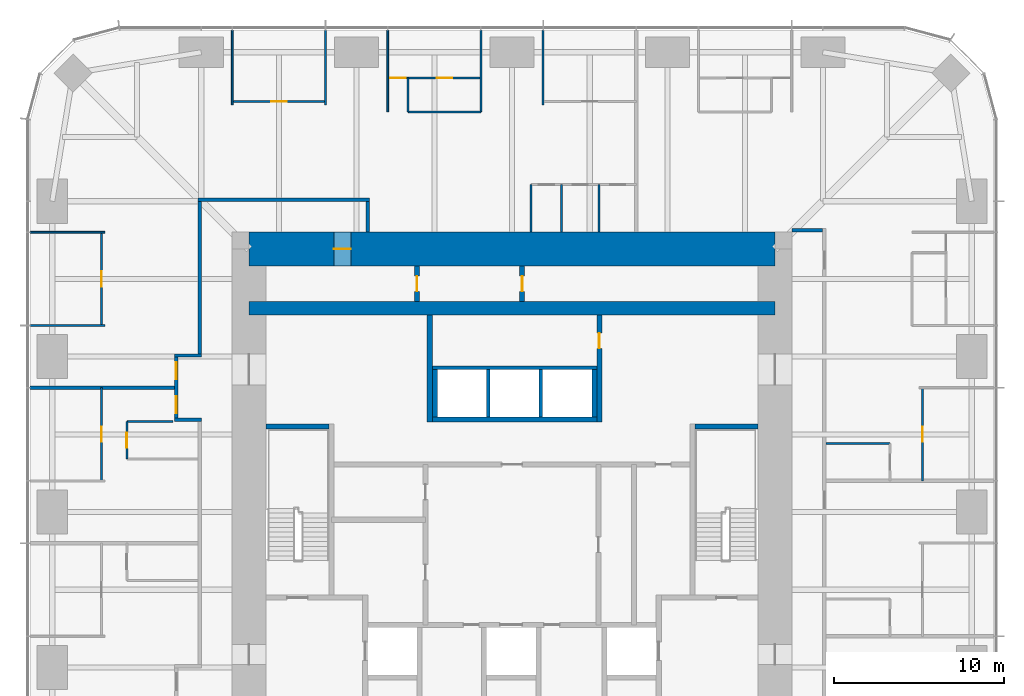
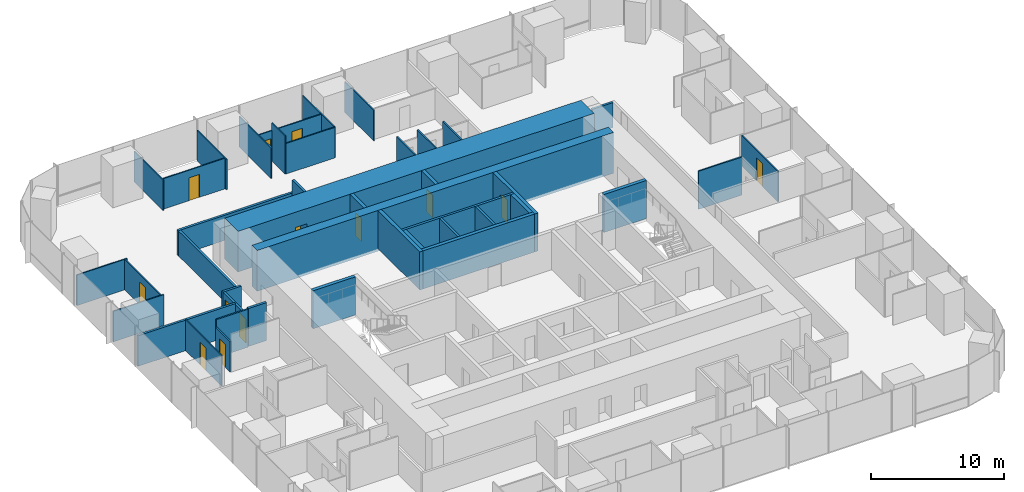
# One storey, part 11 of 13: 42 walls, 13 doors, 13 openings.
"""IFC4 building model written with IfcOpenShell, lengths in metres."""

from ifc_helpers import new_model, si_unit, direction, frame, frame_2d, origin, place, context, subcontext, project, spatial, rectangle, extrude, material, layer, layer_set, type_object, element, fill, save


model = new_model("IFC4")

# Units and contexts
model_context = context("Model", 3, precision=1e-05, world=origin(), true_north=direction((0.0, 1.0)))
body_context = subcontext(model_context, "Body", "Model", "MODEL_VIEW")
ifc_project = project(units=[si_unit("LENGTHUNIT", "METRE"), si_unit("AREAUNIT", "SQUARE_METRE"), si_unit("VOLUMEUNIT", "CUBIC_METRE"), si_unit("PLANEANGLEUNIT", "RADIAN"), si_unit("MASSUNIT", "GRAM", prefix="KILO")], contexts=[model_context])

# Site, building, storey
site_placement = place(None, origin())
site = spatial("IfcSite", under=ifc_project, at=site_placement, CompositionType="ELEMENT")
building_placement = place(site_placement, origin())
building = spatial("IfcBuilding", under=site, at=building_placement, Name="Khuree Lantern Residences", CompositionType="ELEMENT")
storey_placement = place(building_placement, frame((0.0, 0.0, 163.5)))
storey = spatial("IfcBuildingStorey", under=building, at=storey_placement, Name="L41", CompositionType="ELEMENT", Elevation=163.5)

# Walls
ifc_material_1 = material(Name="Moisture-resistant gypsum board on steel studs", Category="steel")
ifc_layer_1 = layer(ifc_material_1, 0.125)
ifc_layer_set_1 = layer_set([ifc_layer_1], Name="BATHROOM WALL BTW125")
wall_type_1 = type_object("IfcWallType", Name="BATHROOM WALL BTW125", PredefinedType="PARTITIONING", material=ifc_layer_set_1)
wall_1_placement = place(storey_placement, frame((18.5, 4.031982421875, 0.0), z_axis=(0.0, 0.0, 1.0), x_axis=(1.0, 0.0, 0.0)))
element("IfcWall", 1, at=wall_1_placement, inside=storey, type_object=wall_type_1, Name="L41 BATHROOM WALL 02", PredefinedType="PARTITIONING", context=body_context, shape_type="SweptSolid", body=[
    extrude(rectangle(XDim=3.77978515625, YDim=0.125, at=frame_2d((1.889892578125, 0.0))), origin(), (0.0, 0.0, 1.0), 3.5),
])
for number, where, z_axis, x_axis, name in (
    (2, (5.1279296875, 16.5, 0.0), (0.0, 0.0, 1.0), (0.0, 1.0, 0.0), "L41 BATHROOM WALL 03"),
    (3, (2.927978515625, 16.5, 0.0), (0.0, 0.0, 1.0), (0.0, 1.0, 0.0), "L41 BATHROOM WALL 03"),
    (4, (1.1279296875, 16.5, 0.0), (0.0, 0.0, 1.0), (0.0, 1.0, 0.0), "L41 BATHROOM WALL 03"),
):
    element("IfcWall", number, at=place(storey_placement, frame(where, z_axis=z_axis, x_axis=x_axis)), inside=storey, type_object=wall_type_1, Name=name, PredefinedType="PARTITIONING", context=body_context, shape_type="SweptSolid", body=[
        extrude(rectangle(XDim=2.800048828125, YDim=0.125, at=frame_2d((1.39990234375, 0.0))), origin(), (0.0, 0.0, 1.0), 3.5),
    ])

# Wall, opening, door
wall_2_placement = place(storey_placement, frame((-22.699951171875, 5.327880859375, 0.0), z_axis=(0.0, 0.0, 1.0), x_axis=(0.0, -1.0, 0.0)))
wall_2 = element("IfcWall", 5, at=wall_2_placement, inside=storey, type_object=wall_type_1, Name="L41 BATHROOM WALL 04", PredefinedType="PARTITIONING", context=body_context, shape_type="SweptSolid", body=[
    extrude(rectangle(XDim=2.199951171875, YDim=0.125, at=frame_2d((1.10009765625, 0.0))), origin(), (0.0, 0.0, 1.0), 2.81005859375),
])
opening_1_placement = place(wall_2_placement, frame((0.64990234375, 0.0, 0.0)))
opening_1 = element("IfcOpeningElement", 6, at=opening_1_placement, cuts=wall_2, Name="Opening 41-044", PredefinedType="OPENING", context=body_context, shape_type="SweptSolid", body=[
    extrude(rectangle(XDim=0.89990234375, YDim=2.10009765625, at=frame_2d((0.449951171875, 1.050048828125))), frame((0.0, 0.072509765625, 0.0), z_axis=(0.0, -1.0, 0.0), x_axis=(1.0, 0.0, 0.0)), (0.0, 0.0, 1.0), 0.14501953125),
])
ifc_material_2 = material(Name="Timber door leaf in hardwood frame", Category="wood")
door_type_1 = type_object("IfcDoorType", Name="BATHROOM DOOR 900X2100", OperationType="SINGLE_SWING_LEFT", PredefinedType="DOOR", material=ifc_material_2)
door_1_placement = place(opening_1_placement, origin())
door_1 = element("IfcDoor", 7, at=door_1_placement, inside=storey, type_object=door_type_1, Name="Bathroom door 41-044", OperationType="SINGLE_SWING_LEFT", OverallHeight=2.10009765625, OverallWidth=0.89990234375, PredefinedType="DOOR", context=body_context, shape_type="SweptSolid", body=[
    extrude(rectangle(XDim=0.89990234375, YDim=2.10009765625, at=frame_2d((0.449951171875, 1.050048828125))), frame((0.0, 0.02490234375, 0.0), z_axis=(0.0, -1.0, 0.0), x_axis=(1.0, 0.0, 0.0)), (0.0, 0.0, 1.0), 0.050048828125),
])
fill(opening_1, door_1)

# Walls
wall_3_placement = place(storey_placement, frame((-19.969970703125, 5.327880859375, 0.0), z_axis=(0.0, 0.0, 1.0), x_axis=(-1.0, 0.0, 0.0)))
element("IfcWall", 8, at=wall_3_placement, inside=storey, type_object=wall_type_1, Name="L41 BATHROOM WALL 04", PredefinedType="PARTITIONING", context=body_context, shape_type="SweptSolid", body=[
    extrude(rectangle(XDim=2.72998046875, YDim=0.125, at=frame_2d((1.364990234375, 0.0))), origin(), (0.0, 0.0, 1.0), 3.5),
])
ifc_material_3 = material(Name="Dense concrete blockwork", Category="masonry")
ifc_layer_2 = layer(ifc_material_3, 0.300048828125)
ifc_layer_set_2 = layer_set([ifc_layer_2], Name="CORE PARTITION WALL CPW300 EI 120")
wall_type_2 = type_object("IfcWallType", Name="CORE PARTITION WALL CPW300 EI 120", PredefinedType="PARTITIONING", material=ifc_layer_set_2)
wall_4_placement = place(storey_placement, frame((-4.699951171875, 5.449951171875, 0.0), z_axis=(0.0, 0.0, 1.0), x_axis=(1.0, 0.0, 0.0)))
element("IfcWall", 9, at=wall_4_placement, inside=storey, type_object=wall_type_2, Name="L41 CORE WALL PHS", PredefinedType="PARTITIONING", context=body_context, shape_type="SweptSolid", body=[
    extrude(rectangle(XDim=9.699951171875, YDim=0.300048828125, at=frame_2d((4.85009765625, 0.0))), origin(), (0.0, 0.0, 1.0), 3.5),
])
for number, where, z_axis, x_axis, name in (
    (10, (-4.550048828125, 5.60009765625, 0.0), (0.0, 0.0, 1.0), (0.0, 1.0, 0.0), "L41 CORE WALL PHW"),
    (11, (4.85009765625, 5.60009765625, 0.0), (0.0, 0.0, 1.0), (0.0, 1.0, 0.0), "L41 CORE WALL PHE"),
):
    element("IfcWall", number, at=place(storey_placement, frame(where, z_axis=z_axis, x_axis=x_axis)), inside=storey, type_object=wall_type_2, Name=name, PredefinedType="PARTITIONING", context=body_context, shape_type="SweptSolid", body=[
        extrude(rectangle(XDim=2.7998046875, YDim=0.300048828125, at=frame_2d((1.39990234375, 0.0))), origin(), (0.0, 0.0, 1.0), 3.5),
    ])
wall_5_placement = place(storey_placement, frame((-4.85009765625, 5.300048828125, 0.0), z_axis=(0.0, 0.0, 1.0), x_axis=(0.0, 1.0, 0.0)))
element("IfcWall", 12, at=wall_5_placement, inside=storey, type_object=wall_type_2, Name="L41 CORE WALL NW", PredefinedType="PARTITIONING", context=body_context, shape_type="SweptSolid", body=[
    extrude(rectangle(XDim=6.300048828125, YDim=0.300048828125, at=frame_2d((3.14990234375, 0.0))), origin(), (0.0, 0.0, 1.0), 3.5),
])

# Wall, opening, door
wall_6_placement = place(storey_placement, frame((5.14990234375, 5.300048828125, 0.0), z_axis=(0.0, 0.0, 1.0), x_axis=(0.0, 1.0, 0.0)))
wall_6 = element("IfcWall", 13, at=wall_6_placement, inside=storey, type_object=wall_type_2, Name="L41 CORE WALL NE", PredefinedType="PARTITIONING", context=body_context, shape_type="SweptSolid", body=[
    extrude(rectangle(XDim=6.300048828125, YDim=0.300048828125, at=frame_2d((3.14990234375, 0.0))), origin(), (0.0, 0.0, 1.0), 3.5),
])
opening_2_placement = place(wall_6_placement, frame((4.35009765625, 0.0, 0.0)))
opening_2 = element("IfcOpeningElement", 14, at=opening_2_placement, cuts=wall_6, Name="Opening 41-020", PredefinedType="OPENING", context=body_context, shape_type="SweptSolid", body=[
    extrude(rectangle(XDim=0.89990234375, YDim=2.10009765625, at=frame_2d((0.449951171875, 1.050048828125))), frame((0.0, 0.16015625, 0.0), z_axis=(0.0, -1.0, 0.0), x_axis=(1.0, 0.0, 0.0)), (0.0, 0.0, 1.0), 0.320068359375),
])
door_type_2 = type_object("IfcDoorType", Name="DOOR 900X2100", OperationType="SINGLE_SWING_LEFT", PredefinedType="DOOR", material=ifc_material_2)
door_2_placement = place(opening_2_placement, origin())
door_2 = element("IfcDoor", 15, at=door_2_placement, inside=storey, type_object=door_type_2, Name="Residents' store door 41-020", OperationType="SINGLE_SWING_LEFT", OverallHeight=2.10009765625, OverallWidth=0.89990234375, PredefinedType="DOOR", context=body_context, shape_type="SweptSolid", body=[
    extrude(rectangle(XDim=0.89990234375, YDim=2.10009765625, at=frame_2d((0.449951171875, 1.050048828125))), frame((0.0, 0.02490234375, 0.0), z_axis=(0.0, -1.0, 0.0), x_axis=(1.0, 0.0, 0.0)), (0.0, 0.0, 1.0), 0.050048828125),
])
fill(opening_2, door_2)

wall_7_placement = place(storey_placement, frame((-5.60009765625, 12.39990234375, 0.0), z_axis=(0.0, 0.0, 1.0), x_axis=(0.0, 1.0, 0.0)))
wall_7 = element("IfcWall", 16, at=wall_7_placement, inside=storey, type_object=wall_type_2, Name="L41 CORE WALL PLX", PredefinedType="PARTITIONING", context=body_context, shape_type="SweptSolid", body=[
    extrude(rectangle(XDim=2.10009765625, YDim=0.300048828125, at=frame_2d((1.050048828125, 0.0))), origin(), (0.0, 0.0, 1.0), 3.5),
])
opening_3_placement = place(wall_7_placement, frame((0.60009765625, 0.0, 0.0)))
opening_3 = element("IfcOpeningElement", 17, at=opening_3_placement, cuts=wall_7, Name="Opening 41-021", PredefinedType="OPENING", context=body_context, shape_type="SweptSolid", body=[
    extrude(rectangle(XDim=0.89990234375, YDim=2.10009765625, at=frame_2d((0.449951171875, 1.050048828125))), frame((0.0, 0.16015625, 0.0), z_axis=(0.0, -1.0, 0.0), x_axis=(1.0, 0.0, 0.0)), (0.0, 0.0, 1.0), 0.320068359375),
])
door_3_placement = place(opening_3_placement, origin())
door_3 = element("IfcDoor", 18, at=door_3_placement, inside=storey, type_object=door_type_2, Name="Cleaner's store door 41-021", OperationType="SINGLE_SWING_LEFT", OverallHeight=2.10009765625, OverallWidth=0.89990234375, PredefinedType="DOOR", context=body_context, shape_type="SweptSolid", body=[
    extrude(rectangle(XDim=0.89990234375, YDim=2.10009765625, at=frame_2d((0.449951171875, 1.050048828125))), frame((0.0, 0.02490234375, 0.0), z_axis=(0.0, -1.0, 0.0), x_axis=(1.0, 0.0, 0.0)), (0.0, 0.0, 1.0), 0.050048828125),
])
fill(opening_3, door_3)

wall_8_placement = place(storey_placement, frame((0.60009765625, 12.39990234375, 0.0), z_axis=(0.0, 0.0, 1.0), x_axis=(0.0, 1.0, 0.0)))
wall_8 = element("IfcWall", 19, at=wall_8_placement, inside=storey, type_object=wall_type_2, Name="L41 CORE WALL PLY", PredefinedType="PARTITIONING", context=body_context, shape_type="SweptSolid", body=[
    extrude(rectangle(XDim=2.10009765625, YDim=0.300048828125, at=frame_2d((1.050048828125, 0.0))), origin(), (0.0, 0.0, 1.0), 3.5),
])
opening_4_placement = place(wall_8_placement, frame((0.60009765625, 0.0, 0.0)))
opening_4 = element("IfcOpeningElement", 20, at=opening_4_placement, cuts=wall_8, Name="Opening 41-022", PredefinedType="OPENING", context=body_context, shape_type="SweptSolid", body=[
    extrude(rectangle(XDim=0.89990234375, YDim=2.10009765625, at=frame_2d((0.449951171875, 1.050048828125))), frame((0.0, 0.16015625, 0.0), z_axis=(0.0, -1.0, 0.0), x_axis=(1.0, 0.0, 0.0)), (0.0, 0.0, 1.0), 0.320068359375),
])
door_4_placement = place(opening_4_placement, origin())
door_4 = element("IfcDoor", 21, at=door_4_placement, inside=storey, type_object=door_type_2, Name="Spares store door 41-022", OperationType="SINGLE_SWING_LEFT", OverallHeight=2.10009765625, OverallWidth=0.89990234375, PredefinedType="DOOR", context=body_context, shape_type="SweptSolid", body=[
    extrude(rectangle(XDim=0.89990234375, YDim=2.10009765625, at=frame_2d((0.449951171875, 1.050048828125))), frame((0.0, 0.02490234375, 0.0), z_axis=(0.0, -1.0, 0.0), x_axis=(1.0, 0.0, 0.0)), (0.0, 0.0, 1.0), 0.050048828125),
])
fill(opening_4, door_4)

# Walls
ifc_material_4 = material(Name="Gypsum board on steel studs", Category="steel")
ifc_layer_3 = layer(ifc_material_4, 0.199951171875)
ifc_layer_set_3 = layer_set([ifc_layer_3], Name="CORRIDOR WALL CRW200 EI 60")
wall_type_3 = type_object("IfcWallType", Name="CORRIDOR WALL CRW200 EI 60", PredefinedType="PARTITIONING", material=ifc_layer_set_3)
wall_9_placement = place(storey_placement, frame((16.5, 16.60009765625, 0.0), z_axis=(0.0, 0.0, 1.0), x_axis=(1.0, 0.0, 0.0)))
element("IfcWall", 22, at=wall_9_placement, inside=storey, type_object=wall_type_3, Name="L41 EAST CORRIDOR NORTH END WALL", PredefinedType="PARTITIONING", context=body_context, shape_type="SweptSolid", body=[
    extrude(rectangle(XDim=1.800048828125, YDim=0.199951171875, at=frame_2d((0.89990234375, 0.0))), origin(), (0.0, 0.0, 1.0), 2.300048828125),
])
wall_10_placement = place(storey_placement, frame((-18.5, 18.39990234375, 0.0), z_axis=(0.0, 0.0, 1.0), x_axis=(1.0, 0.0, 0.0)))
element("IfcWall", 23, at=wall_10_placement, inside=storey, type_object=wall_type_3, Name="L41 CORRIDOR WALL NORTH", PredefinedType="PARTITIONING", context=body_context, shape_type="SweptSolid", body=[
    extrude(rectangle(XDim=10.10009765625, YDim=0.199951171875, at=frame_2d((5.050048828125, 0.0))), origin(), (0.0, 0.0, 1.0), 2.300048828125),
])
wall_11_placement = place(storey_placement, frame((-8.5, 18.300048828125, 0.0), z_axis=(0.0, 0.0, 1.0), x_axis=(0.0, -1.0, 0.0)))
element("IfcWall", 24, at=wall_11_placement, inside=storey, type_object=wall_type_3, Name="L41 NORTH CORRIDOR END WALL", PredefinedType="PARTITIONING", context=body_context, shape_type="SweptSolid", body=[
    extrude(rectangle(XDim=1.800048828125, YDim=0.199951171875, at=frame_2d((0.89990234375, 0.0))), origin(), (0.0, 0.0, 1.0), 3.5),
])
wall_12_placement = place(storey_placement, frame((-18.39990234375, 18.300048828125, 0.0), z_axis=(0.0, 0.0, 1.0), x_axis=(0.0, -1.0, 0.0)))
element("IfcWall", 25, at=wall_12_placement, inside=storey, type_object=wall_type_3, Name="L41 CORRIDOR WALL WEST 1", PredefinedType="PARTITIONING", context=body_context, shape_type="SweptSolid", body=[
    extrude(rectangle(XDim=8.97216796875, YDim=0.199951171875, at=frame_2d((4.486083984375, 0.0))), origin(), (0.0, 0.0, 1.0), 2.300048828125),
])
wall_13_placement = place(storey_placement, frame((-18.300048828125, 9.22802734375, 0.0), z_axis=(0.0, 0.0, 1.0), x_axis=(-1.0, 0.0, 0.0)))
element("IfcWall", 26, at=wall_13_placement, inside=storey, type_object=wall_type_3, Name="L41 CORRIDOR ALCOVE WALL WEST", PredefinedType="PARTITIONING", context=body_context, shape_type="SweptSolid", body=[
    extrude(rectangle(XDim=1.599853515625, YDim=0.199951171875, at=frame_2d((0.7998046875, 0.0))), origin(), (0.0, 0.0, 1.0), 2.699951171875),
])
wall_14_placement = place(storey_placement, frame((-18.300048828125, 5.427978515625, 0.0), z_axis=(0.0, 0.0, 1.0), x_axis=(-1.0, 0.0, 0.0)))
element("IfcWall", 27, at=wall_14_placement, inside=storey, type_object=wall_type_3, Name="L41 CORRIDOR ALCOVE WALL WEST", PredefinedType="PARTITIONING", context=body_context, shape_type="SweptSolid", body=[
    extrude(rectangle(XDim=1.599853515625, YDim=0.199951171875, at=frame_2d((0.7998046875, 0.0))), origin(), (0.0, 0.0, 1.0), 3.5),
])

# Wall, openings, doors
wall_15_placement = place(storey_placement, frame((-19.800048828125, 9.1279296875, 0.0), z_axis=(0.0, 0.0, 1.0), x_axis=(0.0, -1.0, 0.0)))
wall_15 = element("IfcWall", 28, at=wall_15_placement, inside=storey, type_object=wall_type_3, Name="L41 CORRIDOR ALCOVE WALL WEST", PredefinedType="PARTITIONING", context=body_context, shape_type="SweptSolid", body=[
    extrude(rectangle(XDim=3.599853515625, YDim=0.199951171875, at=frame_2d((1.7998046875, 0.0))), origin(), (0.0, 0.0, 1.0), 2.699951171875),
])
opening_5_placement = place(wall_15_placement, frame((0.300048828125, 0.0, 0.0)))
opening_5 = element("IfcOpeningElement", 29, at=opening_5_placement, cuts=wall_15, Name="Opening 41-042", PredefinedType="OPENING", context=body_context, shape_type="SweptSolid", body=[
    extrude(rectangle(XDim=1.0, YDim=2.199951171875, at=frame_2d((0.5, 1.10009765625))), frame((0.0, 0.10986328125, 0.0), z_axis=(0.0, -1.0, 0.0), x_axis=(1.0, 0.0, 0.0)), (0.0, 0.0, 1.0), 0.219970703125),
])
opening_6_placement = place(wall_15_placement, frame((2.300048828125, 0.0, 0.0)))
opening_6 = element("IfcOpeningElement", 30, at=opening_6_placement, cuts=wall_15, Name="Opening 41-045", PredefinedType="OPENING", context=body_context, shape_type="SweptSolid", body=[
    extrude(rectangle(XDim=1.0, YDim=2.199951171875, at=frame_2d((0.5, 1.10009765625))), frame((0.0, 0.10986328125, 0.0), z_axis=(0.0, -1.0, 0.0), x_axis=(1.0, 0.0, 0.0)), (0.0, 0.0, 1.0), 0.219970703125),
])
door_type_3 = type_object("IfcDoorType", Name="APARTMENT ENTRANCE DOOR 1000X2200 EI 30S", OperationType="SINGLE_SWING_LEFT", PredefinedType="DOOR", material=ifc_material_2)
door_5_placement = place(opening_5_placement, origin())
door_5 = element("IfcDoor", 31, at=door_5_placement, inside=storey, type_object=door_type_3, Name="Apartment 03 entrance door 41-042", OperationType="SINGLE_SWING_LEFT", OverallHeight=2.199951171875, OverallWidth=1.0, PredefinedType="DOOR", context=body_context, shape_type="SweptSolid", body=[
    extrude(rectangle(XDim=1.0, YDim=2.199951171875, at=frame_2d((0.5, 1.10009765625))), frame((0.0, 0.02490234375, 0.0), z_axis=(0.0, -1.0, 0.0), x_axis=(1.0, 0.0, 0.0)), (0.0, 0.0, 1.0), 0.050048828125),
])
fill(opening_5, door_5)
door_type_4 = type_object("IfcDoorType", Name="APARTMENT ENTRANCE DOOR 1000X2200 EI 30S RIGHT HAND", OperationType="SINGLE_SWING_RIGHT", PredefinedType="DOOR", material=ifc_material_2)
door_6_placement = place(opening_6_placement, origin())
door_6 = element("IfcDoor", 32, at=door_6_placement, inside=storey, type_object=door_type_4, Name="Apartment 04 entrance door 41-045", OperationType="SINGLE_SWING_RIGHT", OverallHeight=2.199951171875, OverallWidth=1.0, PredefinedType="DOOR", context=body_context, shape_type="SweptSolid", body=[
    extrude(rectangle(XDim=1.0, YDim=2.199951171875, at=frame_2d((0.5, 1.10009765625))), frame((0.0, 0.02490234375, 0.0), z_axis=(0.0, -1.0, 0.0), x_axis=(1.0, 0.0, 0.0)), (0.0, 0.0, 1.0), 0.050048828125),
])
fill(opening_6, door_6)

# Wall, opening, door
ifc_material_5 = material(Name="Concrete C70/85", Category="concrete")
ifc_layer_4 = layer(ifc_material_5, 2.0)
ifc_layer_set_4 = layer_set([ifc_layer_4], Name="CW2000-C70 CORE WALL C70 2000")
wall_type_4 = type_object("IfcWallType", Name="CW2000-C70 CORE WALL C70 2000", PredefinedType="SHEAR", material=ifc_layer_set_4)
wall_16_placement = place(storey_placement, frame((-15.5, 15.5, -0.25), z_axis=(0.0, 0.0, 1.0), x_axis=(1.0, 0.0, 0.0)))
wall_16 = element("IfcWall", 33, at=wall_16_placement, inside=storey, type_object=wall_type_4, Name="Core wall N", PredefinedType="SHEAR", context=body_context, shape_type="SweptSolid", body=[
    extrude(rectangle(XDim=31.0, YDim=2.0, at=frame_2d((15.5, 0.0))), origin(), (0.0, 0.0, 1.0), 3.75),
])
opening_7_placement = place(wall_16_placement, frame((5.0, 0.0, 0.25)))
opening_7 = element("IfcOpeningElement", 34, at=opening_7_placement, cuts=wall_16, Name="Opening 41-023", PredefinedType="OPENING", context=body_context, shape_type="SweptSolid", body=[
    extrude(rectangle(XDim=1.0, YDim=2.10009765625, at=frame_2d((0.5, 1.050048828125))), frame((0.0, 1.010009765625, 0.0), z_axis=(0.0, -1.0, 0.0), x_axis=(1.0, 0.0, 0.0)), (0.0, 0.0, 1.0), 2.02001953125),
])
ifc_material_6 = material(Name="Steel door leaf in steel frame", Category="steel")
door_type_5 = type_object("IfcDoorType", Name="DOOR 1000X2100 EI 60 RIGHT HAND", OperationType="SINGLE_SWING_RIGHT", PredefinedType="DOOR", material=ifc_material_6)
door_7_placement = place(opening_7_placement, origin())
door_7 = element("IfcDoor", 35, at=door_7_placement, inside=storey, type_object=door_type_5, Name="Residents' store door 41-023", OperationType="SINGLE_SWING_RIGHT", OverallHeight=2.10009765625, OverallWidth=1.0, PredefinedType="DOOR", context=body_context, shape_type="SweptSolid", body=[
    extrude(rectangle(XDim=1.0, YDim=2.10009765625, at=frame_2d((0.5, 1.050048828125))), frame((0.0, 0.02490234375, 0.0), z_axis=(0.0, -1.0, 0.0), x_axis=(1.0, 0.0, 0.0)), (0.0, 0.0, 1.0), 0.050048828125),
])
fill(opening_7, door_7)

# Walls
ifc_layer_5 = layer(ifc_material_4, 0.199951171875)
ifc_layer_set_5 = layer_set([ifc_layer_5], Name="DEMISING WALL DMW200 EI 90")
wall_type_5 = type_object("IfcWallType", Name="DEMISING WALL DMW200 EI 90", PredefinedType="PARTITIONING", material=ifc_layer_set_5)
wall_17_placement = place(storey_placement, frame((-19.89990234375, 7.327880859375, 0.0), z_axis=(0.0, 0.0, 1.0), x_axis=(-1.0, 0.0, 0.0)))
element("IfcWall", 36, at=wall_17_placement, inside=storey, type_object=wall_type_5, Name="L41 DEMISING WALL 04", PredefinedType="PARTITIONING", context=body_context, shape_type="SweptSolid", body=[
    extrude(rectangle(XDim=8.5, YDim=0.199951171875, at=frame_2d((4.25, 0.0))), origin(), (0.0, 0.0, 1.0), 2.81005859375),
])
ifc_layer_6 = layer(ifc_material_4, 0.10009765625)
ifc_layer_set_6 = layer_set([ifc_layer_6], Name="PARTITION PT100")
wall_type_6 = type_object("IfcWallType", Name="PARTITION PT100", PredefinedType="PARTITIONING", material=ifc_layer_set_6)
wall_18_placement = place(storey_placement, frame((1.83203125, 24.0, 0.0), z_axis=(0.0, 0.0, 1.0), x_axis=(0.0, 1.0, 0.0)))
element("IfcWall", 37, at=wall_18_placement, inside=storey, type_object=wall_type_6, Name="L41 PARTITION 03", PredefinedType="PARTITIONING", context=body_context, shape_type="SweptSolid", body=[
    extrude(rectangle(XDim=4.39990234375, YDim=0.10009765625, at=frame_2d((2.199951171875, 0.0))), origin(), (0.0, 0.0, 1.0), 2.81005859375),
])
for number, where, z_axis, x_axis, name in (
    (38, (-1.83203125, 23.579833984375, 0.0), (0.0, 0.0, 1.0), (0.0, 1.0, 0.0), "L41 PARTITION 03"),
    (39, (-7.327880859375, 23.579833984375, 0.0), (0.0, 0.0, 1.0), (0.0, 1.0, 0.0), "L41 PARTITION 03"),
):
    element("IfcWall", number, at=place(storey_placement, frame(where, z_axis=z_axis, x_axis=x_axis)), inside=storey, type_object=wall_type_6, Name=name, PredefinedType="PARTITIONING", context=body_context, shape_type="SweptSolid", body=[
        extrude(rectangle(XDim=4.820068359375, YDim=0.10009765625, at=frame_2d((2.41015625, 0.0))), origin(), (0.0, 0.0, 1.0), 2.81005859375),
    ])
for number, where, z_axis, x_axis, name in (
    (40, (-10.991943359375, 24.0, 0.0), (0.0, 0.0, 1.0), (0.0, 1.0, 0.0), "L41 PARTITION 03"),
    (41, (-16.488037109375, 24.0, 0.0), (0.0, 0.0, 1.0), (0.0, 1.0, 0.0), "L41 PARTITION 03"),
    (42, (-24.0, 16.488037109375, 0.0), (0.0, 0.0, 1.0), (-1.0, 0.0, 0.0), "L41 PARTITION 03"),
    (43, (-24.0, 10.991943359375, 0.0), (0.0, 0.0, 1.0), (-1.0, 0.0, 0.0), "L41 PARTITION 03"),
):
    element("IfcWall", number, at=place(storey_placement, frame(where, z_axis=z_axis, x_axis=x_axis)), inside=storey, type_object=wall_type_6, Name=name, PredefinedType="PARTITIONING", context=body_context, shape_type="SweptSolid", body=[
        extrude(rectangle(XDim=4.39990234375, YDim=0.10009765625, at=frame_2d((2.199951171875, 0.0))), origin(), (0.0, 0.0, 1.0), 2.81005859375),
    ])

# Wall, opening, door
wall_19_placement = place(storey_placement, frame((24.199951171875, 1.83203125, 0.0), z_axis=(0.0, 0.0, 1.0), x_axis=(0.0, 1.0, 0.0)))
wall_19 = element("IfcWall", 44, at=wall_19_placement, inside=storey, type_object=wall_type_6, Name="L41 PARTITION 02", PredefinedType="PARTITIONING", context=body_context, shape_type="SweptSolid", body=[
    extrude(rectangle(XDim=5.495849609375, YDim=0.10009765625, at=frame_2d((2.748046875, 0.0))), origin(), (0.0, 0.0, 1.0), 2.81005859375),
])
opening_8_placement = place(wall_19_placement, frame((2.298095703125, 0.0, 0.0)))
opening_8 = element("IfcOpeningElement", 45, at=opening_8_placement, cuts=wall_19, Name="Opening 41-027", PredefinedType="OPENING", context=body_context, shape_type="SweptSolid", body=[
    extrude(rectangle(XDim=0.89990234375, YDim=2.10009765625, at=frame_2d((0.449951171875, 1.050048828125))), frame((0.0, 0.06005859375, 0.0), z_axis=(0.0, -1.0, 0.0), x_axis=(1.0, 0.0, 0.0)), (0.0, 0.0, 1.0), 0.1201171875),
])
door_type_6 = type_object("IfcDoorType", Name="BEDROOM DOOR 900X2100", OperationType="SINGLE_SWING_LEFT", PredefinedType="DOOR", material=ifc_material_2)
door_8_placement = place(opening_8_placement, origin())
door_8 = element("IfcDoor", 46, at=door_8_placement, inside=storey, type_object=door_type_6, Name="Bedroom door 41-027", OperationType="SINGLE_SWING_LEFT", OverallHeight=2.10009765625, OverallWidth=0.89990234375, PredefinedType="DOOR", context=body_context, shape_type="SweptSolid", body=[
    extrude(rectangle(XDim=0.89990234375, YDim=2.10009765625, at=frame_2d((0.449951171875, 1.050048828125))), frame((0.0, 0.02490234375, 0.0), z_axis=(0.0, -1.0, 0.0), x_axis=(1.0, 0.0, 0.0)), (0.0, 0.0, 1.0), 0.050048828125),
])
fill(opening_8, door_8)

# Wall, openings, doors
wall_20_placement = place(storey_placement, frame((-1.83203125, 25.579833984375, 0.0), z_axis=(0.0, 0.0, 1.0), x_axis=(-1.0, 0.0, 0.0)))
wall_20 = element("IfcWall", 47, at=wall_20_placement, inside=storey, type_object=wall_type_6, Name="L41 PARTITION 03", PredefinedType="PARTITIONING", context=body_context, shape_type="SweptSolid", body=[
    extrude(rectangle(XDim=5.495849609375, YDim=0.10009765625, at=frame_2d((2.748046875, 0.0))), origin(), (0.0, 0.0, 1.0), 2.81005859375),
])
opening_9_placement = place(wall_20_placement, frame((4.446044921875, 0.0, 0.0)))
opening_9 = element("IfcOpeningElement", 48, at=opening_9_placement, cuts=wall_20, Name="Opening 41-035", PredefinedType="OPENING", context=body_context, shape_type="SweptSolid", body=[
    extrude(rectangle(XDim=0.89990234375, YDim=2.10009765625, at=frame_2d((0.449951171875, 1.050048828125))), frame((0.0, 0.06005859375, 0.0), z_axis=(0.0, -1.0, 0.0), x_axis=(1.0, 0.0, 0.0)), (0.0, 0.0, 1.0), 0.1201171875),
])
opening_10_placement = place(wall_20_placement, frame((1.697998046875, 0.0, 0.0)))
opening_10 = element("IfcOpeningElement", 49, at=opening_10_placement, cuts=wall_20, Name="Opening 41-036", PredefinedType="OPENING", context=body_context, shape_type="SweptSolid", body=[
    extrude(rectangle(XDim=0.89990234375, YDim=2.10009765625, at=frame_2d((0.449951171875, 1.050048828125))), frame((0.0, 0.06005859375, 0.0), z_axis=(0.0, -1.0, 0.0), x_axis=(1.0, 0.0, 0.0)), (0.0, 0.0, 1.0), 0.1201171875),
])
door_9_placement = place(opening_9_placement, origin())
door_9 = element("IfcDoor", 50, at=door_9_placement, inside=storey, type_object=door_type_6, Name="Bedroom door 41-035", OperationType="SINGLE_SWING_LEFT", OverallHeight=2.10009765625, OverallWidth=0.89990234375, PredefinedType="DOOR", context=body_context, shape_type="SweptSolid", body=[
    extrude(rectangle(XDim=0.89990234375, YDim=2.10009765625, at=frame_2d((0.449951171875, 1.050048828125))), frame((0.0, 0.02490234375, 0.0), z_axis=(0.0, -1.0, 0.0), x_axis=(1.0, 0.0, 0.0)), (0.0, 0.0, 1.0), 0.050048828125),
])
fill(opening_9, door_9)
door_10_placement = place(opening_10_placement, origin())
door_10 = element("IfcDoor", 51, at=door_10_placement, inside=storey, type_object=door_type_2, Name="Wardrobe door 41-036", OperationType="SINGLE_SWING_LEFT", OverallHeight=2.10009765625, OverallWidth=0.89990234375, PredefinedType="DOOR", context=body_context, shape_type="SweptSolid", body=[
    extrude(rectangle(XDim=0.89990234375, YDim=2.10009765625, at=frame_2d((0.449951171875, 1.050048828125))), frame((0.0, 0.02490234375, 0.0), z_axis=(0.0, -1.0, 0.0), x_axis=(1.0, 0.0, 0.0)), (0.0, 0.0, 1.0), 0.050048828125),
])
fill(opening_10, door_10)

# Walls
wall_21_placement = place(storey_placement, frame((-6.1279296875, 23.579833984375, 0.0), z_axis=(0.0, 0.0, 1.0), x_axis=(0.0, 1.0, 0.0)))
element("IfcWall", 52, at=wall_21_placement, inside=storey, type_object=wall_type_6, Name="L41 PARTITION 03", PredefinedType="PARTITIONING", context=body_context, shape_type="SweptSolid", body=[
    extrude(rectangle(XDim=2.0, YDim=0.10009765625, at=frame_2d((1.0, 0.0))), origin(), (0.0, 0.0, 1.0), 3.5),
])
wall_22_placement = place(storey_placement, frame((-1.83203125, 23.579833984375, 0.0), z_axis=(0.0, 0.0, 1.0), x_axis=(-1.0, 0.0, 0.0)))
element("IfcWall", 53, at=wall_22_placement, inside=storey, type_object=wall_type_6, Name="L41 PARTITION 03", PredefinedType="PARTITIONING", context=body_context, shape_type="SweptSolid", body=[
    extrude(rectangle(XDim=4.2958984375, YDim=0.10009765625, at=frame_2d((2.14794921875, 0.0))), origin(), (0.0, 0.0, 1.0), 2.81005859375),
])

# Wall, opening, door
wall_23_placement = place(storey_placement, frame((-10.991943359375, 24.199951171875, 0.0), z_axis=(0.0, 0.0, 1.0), x_axis=(-1.0, 0.0, 0.0)))
wall_23 = element("IfcWall", 54, at=wall_23_placement, inside=storey, type_object=wall_type_6, Name="L41 PARTITION 03", PredefinedType="PARTITIONING", context=body_context, shape_type="SweptSolid", body=[
    extrude(rectangle(XDim=5.49609375, YDim=0.10009765625, at=frame_2d((2.748046875, 0.0))), origin(), (0.0, 0.0, 1.0), 2.81005859375),
])
opening_11_placement = place(wall_23_placement, frame((2.298095703125, 0.0, 0.0)))
opening_11 = element("IfcOpeningElement", 55, at=opening_11_placement, cuts=wall_23, Name="Opening 41-037", PredefinedType="OPENING", context=body_context, shape_type="SweptSolid", body=[
    extrude(rectangle(XDim=0.89990234375, YDim=2.10009765625, at=frame_2d((0.449951171875, 1.050048828125))), frame((0.0, 0.06005859375, 0.0), z_axis=(0.0, -1.0, 0.0), x_axis=(1.0, 0.0, 0.0)), (0.0, 0.0, 1.0), 0.1201171875),
])
door_11_placement = place(opening_11_placement, origin())
door_11 = element("IfcDoor", 56, at=door_11_placement, inside=storey, type_object=door_type_6, Name="Bedroom door 41-037", OperationType="SINGLE_SWING_LEFT", OverallHeight=2.10009765625, OverallWidth=0.89990234375, PredefinedType="DOOR", context=body_context, shape_type="SweptSolid", body=[
    extrude(rectangle(XDim=0.89990234375, YDim=2.10009765625, at=frame_2d((0.449951171875, 1.050048828125))), frame((0.0, 0.02490234375, 0.0), z_axis=(0.0, -1.0, 0.0), x_axis=(1.0, 0.0, 0.0)), (0.0, 0.0, 1.0), 0.050048828125),
])
fill(opening_11, door_11)

wall_24_placement = place(storey_placement, frame((-24.199951171875, 16.488037109375, 0.0), z_axis=(0.0, 0.0, 1.0), x_axis=(0.0, -1.0, 0.0)))
wall_24 = element("IfcWall", 57, at=wall_24_placement, inside=storey, type_object=wall_type_6, Name="L41 PARTITION 03", PredefinedType="PARTITIONING", context=body_context, shape_type="SweptSolid", body=[
    extrude(rectangle(XDim=5.49609375, YDim=0.10009765625, at=frame_2d((2.748046875, 0.0))), origin(), (0.0, 0.0, 1.0), 2.81005859375),
])
opening_12_placement = place(wall_24_placement, frame((2.298095703125, 0.0, 0.0)))
opening_12 = element("IfcOpeningElement", 58, at=opening_12_placement, cuts=wall_24, Name="Opening 41-038", PredefinedType="OPENING", context=body_context, shape_type="SweptSolid", body=[
    extrude(rectangle(XDim=0.89990234375, YDim=2.10009765625, at=frame_2d((0.449951171875, 1.050048828125))), frame((0.0, 0.06005859375, 0.0), z_axis=(0.0, -1.0, 0.0), x_axis=(1.0, 0.0, 0.0)), (0.0, 0.0, 1.0), 0.1201171875),
])
door_12_placement = place(opening_12_placement, origin())
door_12 = element("IfcDoor", 59, at=door_12_placement, inside=storey, type_object=door_type_6, Name="Bedroom door 41-038", OperationType="SINGLE_SWING_LEFT", OverallHeight=2.10009765625, OverallWidth=0.89990234375, PredefinedType="DOOR", context=body_context, shape_type="SweptSolid", body=[
    extrude(rectangle(XDim=0.89990234375, YDim=2.10009765625, at=frame_2d((0.449951171875, 1.050048828125))), frame((0.0, 0.02490234375, 0.0), z_axis=(0.0, -1.0, 0.0), x_axis=(1.0, 0.0, 0.0)), (0.0, 0.0, 1.0), 0.050048828125),
])
fill(opening_12, door_12)

wall_25_placement = place(storey_placement, frame((-24.199951171875, 7.327880859375, 0.0), z_axis=(0.0, 0.0, 1.0), x_axis=(0.0, -1.0, 0.0)))
wall_25 = element("IfcWall", 60, at=wall_25_placement, inside=storey, type_object=wall_type_6, Name="L41 PARTITION 04", PredefinedType="PARTITIONING", context=body_context, shape_type="SweptSolid", body=[
    extrude(rectangle(XDim=5.495849609375, YDim=0.10009765625, at=frame_2d((2.748046875, 0.0))), origin(), (0.0, 0.0, 1.0), 2.81005859375),
])
opening_13_placement = place(wall_25_placement, frame((2.298095703125, 0.0, 0.0)))
opening_13 = element("IfcOpeningElement", 61, at=opening_13_placement, cuts=wall_25, Name="Opening 41-043", PredefinedType="OPENING", context=body_context, shape_type="SweptSolid", body=[
    extrude(rectangle(XDim=0.89990234375, YDim=2.10009765625, at=frame_2d((0.449951171875, 1.050048828125))), frame((0.0, 0.06005859375, 0.0), z_axis=(0.0, -1.0, 0.0), x_axis=(1.0, 0.0, 0.0)), (0.0, 0.0, 1.0), 0.1201171875),
])
door_13_placement = place(opening_13_placement, origin())
door_13 = element("IfcDoor", 62, at=door_13_placement, inside=storey, type_object=door_type_6, Name="Bedroom door 41-043", OperationType="SINGLE_SWING_LEFT", OverallHeight=2.10009765625, OverallWidth=0.89990234375, PredefinedType="DOOR", context=body_context, shape_type="SweptSolid", body=[
    extrude(rectangle(XDim=0.89990234375, YDim=2.10009765625, at=frame_2d((0.449951171875, 1.050048828125))), frame((0.0, 0.02490234375, 0.0), z_axis=(0.0, -1.0, 0.0), x_axis=(1.0, 0.0, 0.0)), (0.0, 0.0, 1.0), 0.050048828125),
])
fill(opening_13, door_13)

# Walls
ifc_layer_7 = layer(ifc_material_3, 0.199951171875)
ifc_layer_set_7 = layer_set([ifc_layer_7], Name="SHAFT WALL SHW200 EI 120")
wall_type_7 = type_object("IfcWallType", Name="SHAFT WALL SHW200 EI 120", PredefinedType="PARTITIONING", material=ifc_layer_set_7)
wall_26_placement = place(storey_placement, frame((-4.699951171875, 8.5, 0.0), z_axis=(0.0, 0.0, 1.0), x_axis=(1.0, 0.0, 0.0)))
element("IfcWall", 63, at=wall_26_placement, inside=storey, type_object=wall_type_7, Name="L41 CORE WALL PHN", PredefinedType="PARTITIONING", context=body_context, shape_type="SweptSolid", body=[
    extrude(rectangle(XDim=9.699951171875, YDim=0.199951171875, at=frame_2d((4.85009765625, 0.0))), origin(), (0.0, 0.0, 1.0), 3.5),
])
for number, where, z_axis, x_axis, name in (
    (64, (-1.39990234375, 5.60009765625, 0.0), (0.0, 0.0, 1.0), (0.0, 1.0, 0.0), "L41 CORE WALL PHD1"),
    (65, (1.699951171875, 5.60009765625, 0.0), (0.0, 0.0, 1.0), (0.0, 1.0, 0.0), "L41 CORE WALL PHD2"),
):
    element("IfcWall", number, at=place(storey_placement, frame(where, z_axis=z_axis, x_axis=x_axis)), inside=storey, type_object=wall_type_7, Name=name, PredefinedType="PARTITIONING", context=body_context, shape_type="SweptSolid", body=[
        extrude(rectangle(XDim=2.7998046875, YDim=0.199951171875, at=frame_2d((1.39990234375, 0.0))), origin(), (0.0, 0.0, 1.0), 3.5),
    ])
ifc_layer_8 = layer(ifc_material_5, 0.800048828125)
ifc_layer_set_8 = layer_set([ifc_layer_8], Name="SP800-C70 CORE SPINE WALL C70 800")
wall_type_8 = type_object("IfcWallType", Name="SP800-C70 CORE SPINE WALL C70 800", PredefinedType="SHEAR", material=ifc_layer_set_8)
wall_27_placement = place(storey_placement, frame((-15.5, 12.0, -0.25), z_axis=(0.0, 0.0, 1.0), x_axis=(1.0, 0.0, 0.0)))
element("IfcWall", 66, at=wall_27_placement, inside=storey, type_object=wall_type_8, Name="Core wall SPN", PredefinedType="SHEAR", context=body_context, shape_type="SweptSolid", body=[
    extrude(rectangle(XDim=31.0, YDim=0.800048828125, at=frame_2d((15.5, 0.0))), origin(), (0.0, 0.0, 1.0), 3.75),
])
ifc_material_7 = material(Name="Concrete C50/60", Category="concrete")
ifc_layer_9 = layer(ifc_material_7, 0.300048828125)
ifc_layer_set_9 = layer_set([ifc_layer_9], Name="STAIR WALL SRW300 C50/60 REI 240")
wall_type_9 = type_object("IfcWallType", Name="STAIR WALL SRW300 C50/60 REI 240", PredefinedType="SOLIDWALL", material=ifc_layer_set_9)
for number, where, z_axis, x_axis, name in (
    (67, (-14.5, 5.050048828125, 0.0), (0.0, 0.0, 1.0), (1.0, 0.0, 0.0), "L41 STAIR WALL ST1N"),
    (68, (14.5, 5.050048828125, 0.0), (0.0, 0.0, 1.0), (-1.0, 0.0, 0.0), "L41 STAIR WALL ST2N"),
):
    element("IfcWall", number, at=place(storey_placement, frame(where, z_axis=z_axis, x_axis=x_axis)), inside=storey, type_object=wall_type_9, Name=name, PredefinedType="SOLIDWALL", context=body_context, shape_type="SweptSolid", body=[
        extrude(rectangle(XDim=3.699951171875, YDim=0.300048828125, at=frame_2d((1.85009765625, 0.0))), origin(), (0.0, 0.0, 1.0), 3.5),
    ])

save(model, "model.ifc")
